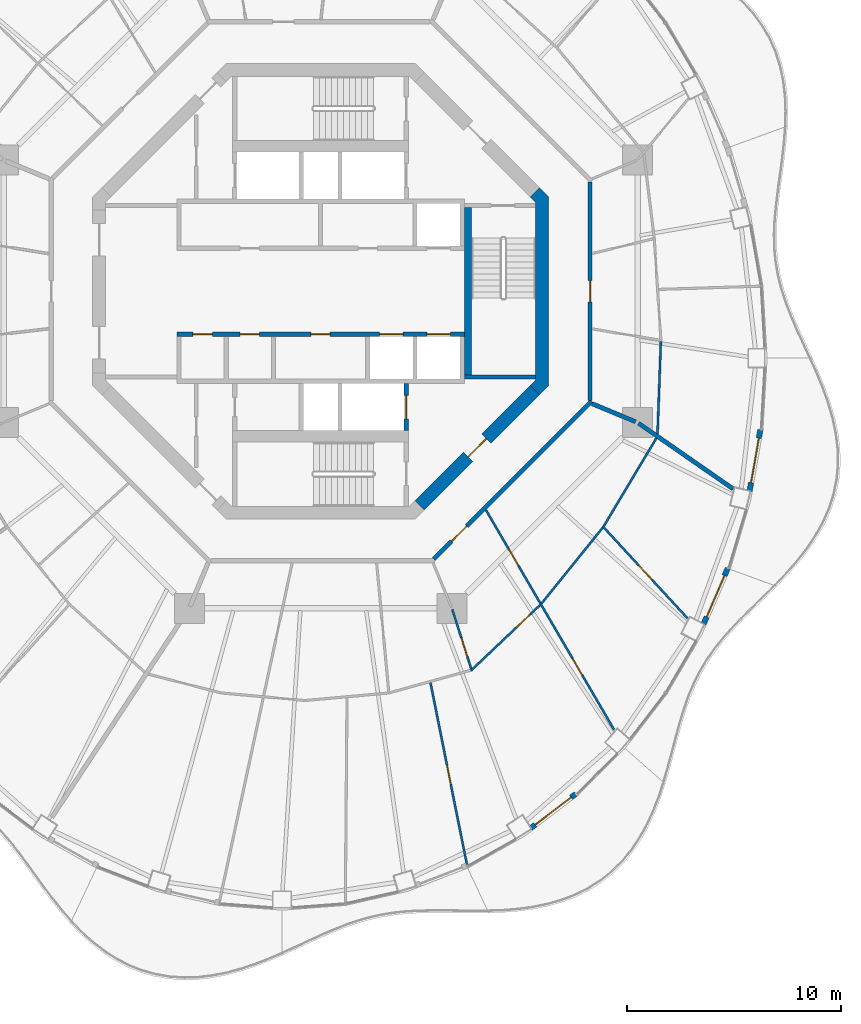
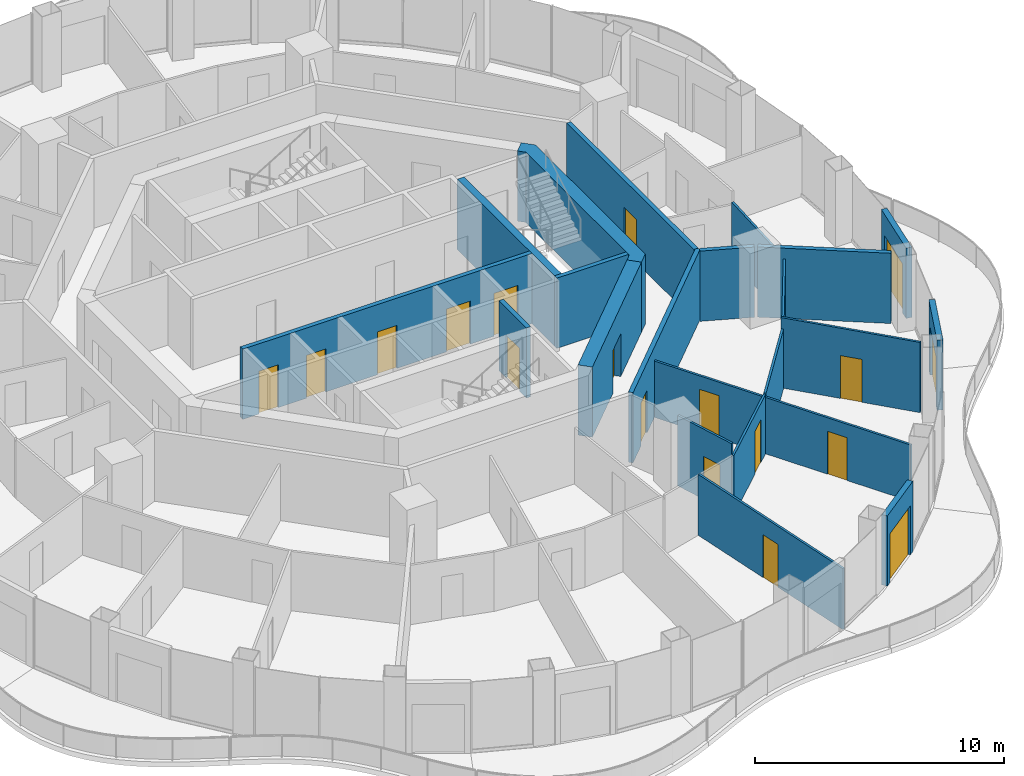
# One storey, part 11 of 17: 21 walls, 18 doors, 18 openings.
"""IFC4 building model written with IfcOpenShell, lengths in metres."""

from ifc_helpers import new_model, si_unit, direction, frame, frame_2d, origin, place, context, subcontext, project, spatial, polyline, rectangle, outline, extrude, material, layer, layer_set, type_object, element, fill, save


model = new_model("IFC4")

# Units and contexts
model_context = context("Model", 3, precision=1e-05, world=origin(), true_north=direction((0.0, 1.0)))
body_context = subcontext(model_context, "Body", "Model", "MODEL_VIEW")
ifc_project = project(units=[si_unit("LENGTHUNIT", "METRE"), si_unit("AREAUNIT", "SQUARE_METRE"), si_unit("VOLUMEUNIT", "CUBIC_METRE"), si_unit("PLANEANGLEUNIT", "RADIAN"), si_unit("MASSUNIT", "GRAM", prefix="KILO")], contexts=[model_context])

# Site, building, storey
site_placement = place(None, origin())
site = spatial("IfcSite", under=ifc_project, at=site_placement, CompositionType="ELEMENT")
building_placement = place(site_placement, origin())
building = spatial("IfcBuilding", under=site, at=building_placement, Name="Nagisa Residences", CompositionType="ELEMENT")
storey_placement = place(building_placement, frame((0.0, 0.0, 291.800048828125)))
storey = spatial("IfcBuildingStorey", under=building, at=storey_placement, Name="L74", CompositionType="ELEMENT", Elevation=291.800048828125)

# Walls
ifc_material_1 = material(Name="Gypsum board on steel studs", Category="steel")
ifc_layer_1 = layer(ifc_material_1, 0.199951171875)
ifc_layer_set_1 = layer_set([ifc_layer_1], Name="Apartment compartment wall EI60 200")
wall_type_1 = type_object("IfcWallType", Name="Apartment compartment wall EI60 200", PredefinedType="PARTITIONING", material=ifc_layer_set_1)
wall_1_placement = place(storey_placement, frame((12.6572265625, -5.24267578125, 0.0), z_axis=(0.0, 0.0, 1.0), x_axis=(0.92383017907, -0.382802560388, 0.0)))
element("IfcWall", 1, at=wall_1_placement, inside=storey, type_object=wall_type_1, Name="wall:L74:u08", PredefinedType="PARTITIONING", context=body_context, shape_type="SweptSolid", body=[
    extrude(rectangle(XDim=2.2001953125, YDim=0.199951171875, at=frame_2d((1.10009765625, 0.0))), origin(), (0.0, 0.0, 1.0), 3.43994140625),
])
wall_2_placement = place(storey_placement, frame((14.8232421875, -6.1513671875, 0.0), z_axis=(0.0, 0.0, 1.0), x_axis=(0.821435065081, -0.570302054928, 0.0)))
element("IfcWall", 2, at=wall_2_placement, inside=storey, type_object=wall_type_1, Name="wall:L74:u09", PredefinedType="PARTITIONING", context=body_context, shape_type="SweptSolid", body=[
    extrude(rectangle(XDim=5.3681640625, YDim=0.199951171875, at=frame_2d((2.68408203125, 0.0))), origin(), (0.0, 0.0, 1.0), 3.43994140625),
])

# Wall, opening, door
ifc_material_2 = material(Name="Gypsum board on steel studs", Category="steel")
ifc_layer_2 = layer(ifc_material_2, 0.199951171875)
ifc_layer_set_2 = layer_set([ifc_layer_2], Name="Apartment entry wall EI60 200")
wall_type_2 = type_object("IfcWallType", Name="Apartment entry wall EI60 200", PredefinedType="PARTITIONING", material=ifc_layer_set_2)
wall_3_placement = place(storey_placement, frame((12.564697265625, -5.1044921875, 0.0), z_axis=(0.0, 0.0, 1.0), x_axis=(0.0, 1.0, 0.0)))
wall_3 = element("IfcWall", 3, at=wall_3_placement, inside=storey, type_object=wall_type_2, Name="wall:L74:u10", PredefinedType="PARTITIONING", context=body_context, shape_type="SweptSolid", body=[
    extrude(rectangle(XDim=10.208984375, YDim=0.199951171875, at=frame_2d((5.1044921875, 0.0))), origin(), (0.0, 0.0, 1.0), 3.43994140625),
])
opening_1_placement = place(wall_3_placement, frame((4.6044921875, 0.0, 0.0)))
opening_1 = element("IfcOpeningElement", 4, at=opening_1_placement, cuts=wall_3, Name="Opening L74-U12", PredefinedType="OPENING", context=body_context, shape_type="SweptSolid", body=[
    extrude(rectangle(XDim=1.0, YDim=2.10009765625, at=frame_2d((0.5, 1.050048828125))), frame((0.0, 0.10986328125, 0.0), z_axis=(0.0, -1.0, 0.0), x_axis=(1.0, 0.0, 0.0)), (0.0, 0.0, 1.0), 0.219970703125),
])
ifc_material_3 = material(Name="Timber fire door set", Category="wood")
door_type_1 = type_object("IfcDoorType", Name="Apartment entry door FD30S 1000x2100", OperationType="NOTDEFINED", PredefinedType="DOOR", material=ifc_material_3)
door_1_placement = place(opening_1_placement, frame((1.0, 0.0, 0.0), x_axis=(-1.0, 0.0, 0.0)))
door_1 = element("IfcDoor", 5, at=door_1_placement, inside=storey, type_object=door_type_1, Name="Entry door, Apartment 74B", OperationType="SINGLE_SWING_LEFT", OverallHeight=2.10009765625, OverallWidth=1.0, PredefinedType="DOOR", context=body_context, shape_type="SweptSolid", body=[
    extrude(rectangle(XDim=1.0, YDim=2.10009765625, at=frame_2d((0.5, 1.050048828125))), frame((0.0, 0.02490234375, 0.0), z_axis=(0.0, -1.0, 0.0), x_axis=(1.0, 0.0, 0.0)), (0.0, 0.0, 1.0), 0.050048828125),
])
fill(opening_1, door_1)

wall_4_placement = place(storey_placement, frame((5.275146484375, -12.494140625, 0.0), z_axis=(0.0, 0.0, 1.0), x_axis=(0.707106781187, 0.707106781187, 0.0)))
wall_4 = element("IfcWall", 6, at=wall_4_placement, inside=storey, type_object=wall_type_2, Name="wall:L74:u17", PredefinedType="PARTITIONING", context=body_context, shape_type="SweptSolid", body=[
    extrude(rectangle(XDim=10.4091796875, YDim=0.199951171875, at=frame_2d((5.20458984375, 0.0))), origin(), (0.0, 0.0, 1.0), 3.43994140625),
])
opening_2_placement = place(wall_4_placement, frame((1.184814453125, 0.0, 0.0)))
opening_2 = element("IfcOpeningElement", 7, at=opening_2_placement, cuts=wall_4, Name="Opening L74-U01", PredefinedType="OPENING", context=body_context, shape_type="SweptSolid", body=[
    extrude(rectangle(XDim=1.0, YDim=2.10009765625, at=frame_2d((0.5, 1.050048828125))), frame((0.0, 0.10986328125, 0.0), z_axis=(0.0, -1.0, 0.0), x_axis=(1.0, 0.0, 0.0)), (0.0, 0.0, 1.0), 0.219970703125),
])
door_2_placement = place(opening_2_placement, frame((1.0, 0.0, 0.0), x_axis=(-1.0, 0.0, 0.0)))
door_2 = element("IfcDoor", 8, at=door_2_placement, inside=storey, type_object=door_type_1, Name="Entry door, Apartment 74A", OperationType="SINGLE_SWING_RIGHT", OverallHeight=2.10009765625, OverallWidth=1.0, PredefinedType="DOOR", context=body_context, shape_type="SweptSolid", body=[
    extrude(rectangle(XDim=1.0, YDim=2.10009765625, at=frame_2d((0.5, 1.050048828125))), frame((0.0, 0.02490234375, 0.0), z_axis=(0.0, -1.0, 0.0), x_axis=(1.0, 0.0, 0.0)), (0.0, 0.0, 1.0), 0.050048828125),
])
fill(opening_2, door_2)

# Wall
ifc_material_4 = material(Name="Gypsum board on steel studs", Category="steel")
ifc_layer_3 = layer(ifc_material_4, 0.10009765625)
ifc_layer_set_3 = layer_set([ifc_layer_3], Name="Apartment partition 100")
wall_type_3 = type_object("IfcWallType", Name="Apartment partition 100", PredefinedType="PARTITIONING", material=ifc_layer_set_3)
wall_5_placement = place(storey_placement, frame((15.864990234375, -2.337890625, 0.0), z_axis=(0.0, 0.0, 1.0), x_axis=(-0.035864509465, -0.999356661538, 0.0)))
element("IfcWall", 9, at=wall_5_placement, inside=storey, type_object=wall_type_3, Name="wall:L74:u20", PredefinedType="PARTITIONING", context=body_context, shape_type="SweptSolid", body=[
    extrude(rectangle(XDim=4.329345703125, YDim=0.10009765625, at=frame_2d((2.16455078125, 0.0))), origin(), (0.0, 0.0, 1.0), 2.905029296875),
])

# Wall, opening, door
wall_6_placement = place(storey_placement, frame((5.12158203125, -18.2451171875, 0.0), z_axis=(0.0, 0.0, 1.0), x_axis=(0.196554332808, -0.980492934322, 0.0)))
wall_6 = element("IfcWall", 10, at=wall_6_placement, inside=storey, type_object=wall_type_3, Name="wall:L74:u59", PredefinedType="PARTITIONING", context=body_context, shape_type="SweptSolid", body=[
    extrude(rectangle(XDim=8.785400390625, YDim=0.10009765625, at=frame_2d((4.392578125, 0.0))), origin(), (0.0, 0.0, 1.0), 2.98291015625),
])
opening_3_placement = place(wall_6_placement, frame((3.942626953125, 0.0, 0.0)))
opening_3 = element("IfcOpeningElement", 11, at=opening_3_placement, cuts=wall_6, Name="Opening L74-U09", PredefinedType="OPENING", context=body_context, shape_type="SweptSolid", body=[
    extrude(rectangle(XDim=0.89990234375, YDim=2.10009765625, at=frame_2d((0.449951171875, 1.050048828125))), frame((0.0, 0.06005859375, 0.0), z_axis=(0.0, -1.0, 0.0), x_axis=(1.0, 0.0, 0.0)), (0.0, 0.0, 1.0), 0.1201171875),
])
ifc_material_5 = material(Name="Timber door set", Category="wood")
door_type_2 = type_object("IfcDoorType", Name="Apartment door 900x2100", OperationType="NOTDEFINED", PredefinedType="DOOR", material=ifc_material_5)
door_3_placement = place(opening_3_placement, frame((0.89990234375, 0.0, 0.0), x_axis=(-1.0, 0.0, 0.0)))
door_3 = element("IfcDoor", 12, at=door_3_placement, inside=storey, type_object=door_type_2, Name="Door to dining room, Apartment 74A", OperationType="SINGLE_SWING_RIGHT", OverallHeight=2.10009765625, OverallWidth=0.89990234375, PredefinedType="DOOR", context=body_context, shape_type="SweptSolid", body=[
    extrude(rectangle(XDim=0.89990234375, YDim=2.10009765625, at=frame_2d((0.449951171875, 1.050048828125))), frame((0.0, 0.02490234375, 0.0), z_axis=(0.0, -1.0, 0.0), x_axis=(1.0, 0.0, 0.0)), (0.0, 0.0, 1.0), 0.050048828125),
])
fill(opening_3, door_3)

wall_7_placement = place(storey_placement, frame((6.13818359375, -14.82958984375, 0.0), z_axis=(0.0, 0.0, 1.0), x_axis=(0.303665801704, -0.952778610631, 0.0)))
wall_7 = element("IfcWall", 13, at=wall_7_placement, inside=storey, type_object=wall_type_3, Name="wall:L74:u61", PredefinedType="PARTITIONING", context=body_context, shape_type="SweptSolid", body=[
    extrude(rectangle(XDim=2.921630859375, YDim=0.10009765625, at=frame_2d((1.4609375, 0.0))), origin(), (0.0, 0.0, 1.0), 3.43994140625),
])
opening_4_placement = place(wall_7_placement, frame((1.4072265625, 0.0, 0.0)))
opening_4 = element("IfcOpeningElement", 14, at=opening_4_placement, cuts=wall_7, Name="Opening L74-U02", PredefinedType="OPENING", context=body_context, shape_type="SweptSolid", body=[
    extrude(rectangle(XDim=0.89990234375, YDim=2.10009765625, at=frame_2d((0.449951171875, 1.050048828125))), frame((0.0, 0.06005859375, 0.0), z_axis=(0.0, -1.0, 0.0), x_axis=(1.0, 0.0, 0.0)), (0.0, 0.0, 1.0), 0.1201171875),
])
door_4_placement = place(opening_4_placement, frame((0.89990234375, 0.0, 0.0), x_axis=(-1.0, 0.0, 0.0)))
door_4 = element("IfcDoor", 15, at=door_4_placement, inside=storey, type_object=door_type_2, Name="Door to family bathroom, Apartment 74A", OperationType="SINGLE_SWING_LEFT", OverallHeight=2.10009765625, OverallWidth=0.89990234375, PredefinedType="DOOR", context=body_context, shape_type="SweptSolid", body=[
    extrude(rectangle(XDim=0.89990234375, YDim=2.10009765625, at=frame_2d((0.449951171875, 1.050048828125))), frame((0.0, 0.02490234375, 0.0), z_axis=(0.0, -1.0, 0.0), x_axis=(1.0, 0.0, 0.0)), (0.0, 0.0, 1.0), 0.050048828125),
])
fill(opening_4, door_4)

wall_8_placement = place(storey_placement, frame((7.004150390625, -17.6953125, 0.0), z_axis=(0.0, 0.0, 1.0), x_axis=(0.725438442765, 0.68828705186, 0.0)))
wall_8 = element("IfcWall", 16, at=wall_8_placement, inside=storey, type_object=wall_type_3, Name="wall:L74:u62", PredefinedType="PARTITIONING", context=body_context, shape_type="SweptSolid", body=[
    extrude(rectangle(XDim=4.45556640625, YDim=0.10009765625, at=frame_2d((2.227783203125, 0.0))), origin(), (0.0, 0.0, 1.0), 2.905029296875),
])
opening_5_placement = place(wall_8_placement, frame((2.9248046875, 0.0, 0.0)))
opening_5 = element("IfcOpeningElement", 17, at=opening_5_placement, cuts=wall_8, Name="Opening L74-U04", PredefinedType="OPENING", context=body_context, shape_type="SweptSolid", body=[
    extrude(rectangle(XDim=0.89990234375, YDim=2.10009765625, at=frame_2d((0.449951171875, 1.050048828125))), frame((0.0, 0.06005859375, 0.0), z_axis=(0.0, -1.0, 0.0), x_axis=(1.0, 0.0, 0.0)), (0.0, 0.0, 1.0), 0.1201171875),
])
door_5_placement = place(opening_5_placement, frame((0.89990234375, 0.0, 0.0), x_axis=(-1.0, 0.0, 0.0)))
door_5 = element("IfcDoor", 18, at=door_5_placement, inside=storey, type_object=door_type_2, Name="Door to living room, Apartment 74A", OperationType="SINGLE_SWING_LEFT", OverallHeight=2.10009765625, OverallWidth=0.89990234375, PredefinedType="DOOR", context=body_context, shape_type="SweptSolid", body=[
    extrude(rectangle(XDim=0.89990234375, YDim=2.10009765625, at=frame_2d((0.449951171875, 1.050048828125))), frame((0.0, 0.02490234375, 0.0), z_axis=(0.0, -1.0, 0.0), x_axis=(1.0, 0.0, 0.0)), (0.0, 0.0, 1.0), 0.050048828125),
])
fill(opening_5, door_5)

# Wall, openings, doors
wall_9_placement = place(storey_placement, frame((7.708251953125, -10.19775390625, 0.0), z_axis=(0.0, 0.0, 1.0), x_axis=(0.503839015963, -0.863797572347, 0.0)))
wall_9 = element("IfcWall", 19, at=wall_9_placement, inside=storey, type_object=wall_type_3, Name="wall:L74:u63", PredefinedType="PARTITIONING", context=body_context, shape_type="SweptSolid", body=[
    extrude(rectangle(XDim=11.855712890625, YDim=0.10009765625, at=frame_2d((5.927734375, 0.0))), origin(), (0.0, 0.0, 1.0), 2.761962890625),
])
opening_6_placement = place(wall_9_placement, frame((2.094970703125, 0.0, 0.0)))
opening_6 = element("IfcOpeningElement", 20, at=opening_6_placement, cuts=wall_9, Name="Opening L74-U03", PredefinedType="OPENING", context=body_context, shape_type="SweptSolid", body=[
    extrude(rectangle(XDim=0.89990234375, YDim=2.10009765625, at=frame_2d((0.449951171875, 1.050048828125))), frame((0.0, 0.06005859375, 0.0), z_axis=(0.0, -1.0, 0.0), x_axis=(1.0, 0.0, 0.0)), (0.0, 0.0, 1.0), 0.1201171875),
])
opening_7_placement = place(wall_9_placement, frame((8.022705078125, 0.0, 0.0)))
opening_7 = element("IfcOpeningElement", 21, at=opening_7_placement, cuts=wall_9, Name="Opening L74-U05", PredefinedType="OPENING", context=body_context, shape_type="SweptSolid", body=[
    extrude(rectangle(XDim=0.89990234375, YDim=2.10009765625, at=frame_2d((0.449951171875, 1.050048828125))), frame((0.0, 0.06005859375, 0.0), z_axis=(0.0, -1.0, 0.0), x_axis=(1.0, 0.0, 0.0)), (0.0, 0.0, 1.0), 0.1201171875),
])
door_6_placement = place(opening_6_placement, origin())
door_6 = element("IfcDoor", 22, at=door_6_placement, inside=storey, type_object=door_type_2, Name="Door to laundry, Apartment 74A", OperationType="SINGLE_SWING_LEFT", OverallHeight=2.10009765625, OverallWidth=0.89990234375, PredefinedType="DOOR", context=body_context, shape_type="SweptSolid", body=[
    extrude(rectangle(XDim=0.89990234375, YDim=2.10009765625, at=frame_2d((0.449951171875, 1.050048828125))), frame((0.0, 0.02490234375, 0.0), z_axis=(0.0, -1.0, 0.0), x_axis=(1.0, 0.0, 0.0)), (0.0, 0.0, 1.0), 0.050048828125),
])
fill(opening_6, door_6)
door_7_placement = place(opening_7_placement, origin())
door_7 = element("IfcDoor", 23, at=door_7_placement, inside=storey, type_object=door_type_2, Name="Door to kitchen, Apartment 74A", OperationType="SINGLE_SWING_LEFT", OverallHeight=2.10009765625, OverallWidth=0.89990234375, PredefinedType="DOOR", context=body_context, shape_type="SweptSolid", body=[
    extrude(rectangle(XDim=0.89990234375, YDim=2.10009765625, at=frame_2d((0.449951171875, 1.050048828125))), frame((0.0, 0.02490234375, 0.0), z_axis=(0.0, -1.0, 0.0), x_axis=(1.0, 0.0, 0.0)), (0.0, 0.0, 1.0), 0.050048828125),
])
fill(opening_7, door_7)

# Wall
wall_10_placement = place(storey_placement, frame((10.303955078125, -14.555419921875, 0.0), z_axis=(0.0, 0.0, 1.0), x_axis=(0.628170338674, 0.778075848237, 0.0)))
element("IfcWall", 24, at=wall_10_placement, inside=storey, type_object=wall_type_3, Name="wall:L74:u64", PredefinedType="PARTITIONING", context=body_context, shape_type="SweptSolid", body=[
    extrude(rectangle(XDim=4.532470703125, YDim=0.10009765625, at=frame_2d((2.26611328125, 0.0))), origin(), (0.0, 0.0, 1.0), 2.905029296875),
])

# Wall, opening, door
wall_11_placement = place(storey_placement, frame((13.148681640625, -10.953125, 0.0), z_axis=(0.0, 0.0, 1.0), x_axis=(0.677762562884, -0.735280836384, 0.0)))
wall_11 = element("IfcWall", 25, at=wall_11_placement, inside=storey, type_object=wall_type_3, Name="wall:L74:u65", PredefinedType="PARTITIONING", context=body_context, shape_type="SweptSolid", body=[
    extrude(rectangle(XDim=5.840576171875, YDim=0.10009765625, at=frame_2d((2.92041015625, 0.0))), origin(), (0.0, 0.0, 1.0), 3.43994140625),
])
opening_8_placement = place(wall_11_placement, frame((2.4951171875, 0.0, 0.0)))
opening_8 = element("IfcOpeningElement", 26, at=opening_8_placement, cuts=wall_11, Name="Opening L74-U06", PredefinedType="OPENING", context=body_context, shape_type="SweptSolid", body=[
    extrude(rectangle(XDim=0.89990234375, YDim=2.10009765625, at=frame_2d((0.449951171875, 1.050048828125))), frame((0.0, 0.06005859375, 0.0), z_axis=(0.0, -1.0, 0.0), x_axis=(1.0, 0.0, 0.0)), (0.0, 0.0, 1.0), 0.1201171875),
])
door_8_placement = place(opening_8_placement, origin())
door_8 = element("IfcDoor", 27, at=door_8_placement, inside=storey, type_object=door_type_2, Name="Door to bedroom, Apartment 74A", OperationType="SINGLE_SWING_RIGHT", OverallHeight=2.10009765625, OverallWidth=0.89990234375, PredefinedType="DOOR", context=body_context, shape_type="SweptSolid", body=[
    extrude(rectangle(XDim=0.89990234375, YDim=2.10009765625, at=frame_2d((0.449951171875, 1.050048828125))), frame((0.0, 0.02490234375, 0.0), z_axis=(0.0, -1.0, 0.0), x_axis=(1.0, 0.0, 0.0)), (0.0, 0.0, 1.0), 0.050048828125),
])
fill(opening_8, door_8)

# Wall
wall_12_placement = place(storey_placement, frame((13.208251953125, -10.947021484375, 0.0), z_axis=(0.0, 0.0, 1.0), x_axis=(0.512726452516, 0.858552028063, 0.0)))
element("IfcWall", 28, at=wall_12_placement, inside=storey, type_object=wall_type_3, Name="wall:L74:u66", PredefinedType="PARTITIONING", context=body_context, shape_type="SweptSolid", body=[
    extrude(rectangle(XDim=4.771728515625, YDim=0.10009765625, at=frame_2d((2.3857421875, 0.0))), origin(), (0.0, 0.0, 1.0), 2.905029296875),
])

# Wall, opening, door
ifc_material_6 = material(Name="Precast concrete C40/50", Category="concrete")
ifc_layer_4 = layer(ifc_material_6, 0.25)
ifc_layer_set_4 = layer_set([ifc_layer_4], Name="BALCONY DOOR WALL 250")
wall_type_4 = type_object("IfcWallType", Name="BALCONY DOOR WALL 250", PredefinedType="SOLIDWALL", material=ifc_layer_set_4)
wall_13_placement = place(storey_placement, frame((11.89453125, -23.439208984375, 0.0), z_axis=(0.0, 0.0, 1.0), x_axis=(-0.796055284084, -0.605223912847, 0.0)))
wall_13 = element("IfcWall", 29, at=wall_13_placement, inside=storey, type_object=wall_type_4, Name="wall:L74:bay40", PredefinedType="SOLIDWALL", context=body_context, shape_type="SweptSolid", body=[
    extrude(rectangle(XDim=2.640625, YDim=0.25, at=frame_2d((1.3203125, 0.0))), origin(), (0.0, 0.0, 1.0), 3.43994140625),
])
opening_9_placement = place(wall_13_placement, frame((0.270263671875, 0.0, 0.0)))
opening_9 = element("IfcOpeningElement", 30, at=opening_9_placement, cuts=wall_13, Name="Opening BD-L74-14", PredefinedType="OPENING", context=body_context, shape_type="SweptSolid", body=[
    extrude(rectangle(XDim=2.10009765625, YDim=2.39990234375, at=frame_2d((1.050048828125, 1.199951171875))), frame((0.0, 0.135009765625, 0.0), z_axis=(0.0, -1.0, 0.0), x_axis=(1.0, 0.0, 0.0)), (0.0, 0.0, 1.0), 0.27001953125),
])
ifc_material_7 = material(Name="Aluminium and clear glass", Category="aluminium")
door_type_3 = type_object("IfcDoorType", Name="BALCONY SLIDING DOOR 2100x2400", OperationType="SLIDING_TO_LEFT", PredefinedType="DOOR", material=ifc_material_7)
door_9_placement = place(opening_9_placement, origin())
door_9 = element("IfcDoor", 31, at=door_9_placement, inside=storey, type_object=door_type_3, Name="door:L74:bay40", OperationType="SLIDING_TO_LEFT", OverallHeight=2.39990234375, OverallWidth=2.10009765625, PredefinedType="DOOR", context=body_context, shape_type="SweptSolid", body=[
    extrude(rectangle(XDim=2.10009765625, YDim=2.39990234375, at=frame_2d((1.050048828125, 1.199951171875))), frame((0.0, 0.02490234375, 0.0), z_axis=(0.0, -1.0, 0.0), x_axis=(1.0, 0.0, 0.0)), (0.0, 0.0, 1.0), 0.050048828125),
])
fill(opening_9, door_9)

wall_14_placement = place(storey_placement, frame((18.9833984375, -12.918212890625, 0.0), z_axis=(0.0, 0.0, 1.0), x_axis=(-0.397597791596, -0.9175598052, 0.0)))
wall_14 = element("IfcWall", 32, at=wall_14_placement, inside=storey, type_object=wall_type_4, Name="wall:L74:bay44", PredefinedType="SOLIDWALL", context=body_context, shape_type="SweptSolid", body=[
    extrude(rectangle(XDim=2.841064453125, YDim=0.25, at=frame_2d((1.42041015625, 0.0))), origin(), (0.0, 0.0, 1.0), 3.43994140625),
])
opening_10_placement = place(wall_14_placement, frame((0.37060546875, 0.0, 0.0)))
opening_10 = element("IfcOpeningElement", 33, at=opening_10_placement, cuts=wall_14, Name="Opening BD-L74-15", PredefinedType="OPENING", context=body_context, shape_type="SweptSolid", body=[
    extrude(rectangle(XDim=2.10009765625, YDim=2.39990234375, at=frame_2d((1.050048828125, 1.199951171875))), frame((0.0, 0.135009765625, 0.0), z_axis=(0.0, -1.0, 0.0), x_axis=(1.0, 0.0, 0.0)), (0.0, 0.0, 1.0), 0.27001953125),
])
door_10_placement = place(opening_10_placement, origin())
door_10 = element("IfcDoor", 34, at=door_10_placement, inside=storey, type_object=door_type_3, Name="door:L74:bay44", OperationType="SLIDING_TO_LEFT", OverallHeight=2.39990234375, OverallWidth=2.10009765625, PredefinedType="DOOR", context=body_context, shape_type="SweptSolid", body=[
    extrude(rectangle(XDim=2.10009765625, YDim=2.39990234375, at=frame_2d((1.050048828125, 1.199951171875))), frame((0.0, 0.02490234375, 0.0), z_axis=(0.0, -1.0, 0.0), x_axis=(1.0, 0.0, 0.0)), (0.0, 0.0, 1.0), 0.050048828125),
])
fill(opening_10, door_10)

wall_15_placement = place(storey_placement, frame((20.50341796875, -6.455810546875, 0.0), z_axis=(0.0, 0.0, 1.0), x_axis=(-0.172182411767, -0.985065082661, 0.0)))
wall_15 = element("IfcWall", 35, at=wall_15_placement, inside=storey, type_object=wall_type_4, Name="wall:L74:bay46", PredefinedType="SOLIDWALL", context=body_context, shape_type="SweptSolid", body=[
    extrude(rectangle(XDim=2.902587890625, YDim=0.25, at=frame_2d((1.451171875, 0.0))), origin(), (0.0, 0.0, 1.0), 3.43994140625),
])
opening_11_placement = place(wall_15_placement, frame((0.401123046875, 0.0, 0.0)))
opening_11 = element("IfcOpeningElement", 36, at=opening_11_placement, cuts=wall_15, Name="Opening BD-L74-16", PredefinedType="OPENING", context=body_context, shape_type="SweptSolid", body=[
    extrude(rectangle(XDim=2.10009765625, YDim=2.39990234375, at=frame_2d((1.050048828125, 1.199951171875))), frame((0.0, 0.135009765625, 0.0), z_axis=(0.0, -1.0, 0.0), x_axis=(1.0, 0.0, 0.0)), (0.0, 0.0, 1.0), 0.27001953125),
])
door_11_placement = place(opening_11_placement, origin())
door_11 = element("IfcDoor", 37, at=door_11_placement, inside=storey, type_object=door_type_3, Name="door:L74:bay46", OperationType="SLIDING_TO_LEFT", OverallHeight=2.39990234375, OverallWidth=2.10009765625, PredefinedType="DOOR", context=body_context, shape_type="SweptSolid", body=[
    extrude(rectangle(XDim=2.10009765625, YDim=2.39990234375, at=frame_2d((1.050048828125, 1.199951171875))), frame((0.0, 0.02490234375, 0.0), z_axis=(0.0, -1.0, 0.0), x_axis=(1.0, 0.0, 0.0)), (0.0, 0.0, 1.0), 0.050048828125),
])
fill(opening_11, door_11)

ifc_material_8 = material(Name="Concrete C60", Category="concrete")
ifc_layer_5 = layer(ifc_material_8, 0.60009765625)
ifc_layer_set_5 = layer_set([ifc_layer_5], Name="Core shear wall 600")
wall_type_5 = type_object("IfcWallType", Name="Core shear wall 600", PredefinedType="SHEAR", material=ifc_layer_set_5)
wall_16_placement = place(storey_placement, frame((4.613037109375, -9.98828125, 0.0), z_axis=(0.0, 0.0, 1.0), x_axis=(0.707106781187, 0.707106781187, 0.0)))
wall_16 = element("IfcWall", 38, at=wall_16_placement, inside=storey, type_object=wall_type_5, Name="wall:L74:core:flat7", PredefinedType="SHEAR", context=body_context, shape_type="SweptSolid", body=[
    extrude(rectangle(XDim=7.601806640625, YDim=0.60009765625, at=frame_2d((3.80078125, 0.0))), origin(), (0.0, 0.0, 1.0), 3.43994140625),
])
opening_12_placement = place(wall_16_placement, frame((3.200927734375, 0.0, 0.0)))
opening_12 = element("IfcOpeningElement", 39, at=opening_12_placement, cuts=wall_16, Name="Opening L74-C19", PredefinedType="OPENING", context=body_context, shape_type="SweptSolid", body=[
    extrude(rectangle(XDim=1.199951171875, YDim=2.10009765625, at=frame_2d((0.60009765625, 1.050048828125))), frame((0.0, 0.31005859375, 0.0), z_axis=(0.0, -1.0, 0.0), x_axis=(1.0, 0.0, 0.0)), (0.0, 0.0, 1.0), 0.6201171875),
])
ifc_material_9 = material(Name="Steel fire door", Category="steel")
door_type_4 = type_object("IfcDoorType", Name="Fire door EI60 1200x2100 single swing", OperationType="NOTDEFINED", PredefinedType="DOOR", material=ifc_material_9)
door_12_placement = place(opening_12_placement, origin())
door_12 = element("IfcDoor", 40, at=door_12_placement, inside=storey, type_object=door_type_4, Name="Firefighting lobby 2 door L74", OperationType="SINGLE_SWING_RIGHT", OverallHeight=2.10009765625, OverallWidth=1.199951171875, PredefinedType="DOOR", context=body_context, shape_type="SweptSolid", body=[
    extrude(rectangle(XDim=1.199951171875, YDim=2.10009765625, at=frame_2d((0.60009765625, 1.050048828125))), frame((0.0, 0.02490234375, 0.0), z_axis=(0.0, -1.0, 0.0), x_axis=(1.0, 0.0, 0.0)), (0.0, 0.0, 1.0), 0.050048828125),
])
fill(opening_12, door_12)

# Wall
wall_17_placement = place(storey_placement, origin())
element("IfcWall", 41, at=wall_17_placement, inside=storey, type_object=wall_type_5, Name="wall:L74:core:flat0", PredefinedType="SHEAR", context=body_context, shape_type="SweptSolid", body=[
    extrude(outline(polyline([(9.776123046875, -4.40087890625), (10.024658203125, -4.15234375), (10.024658203125, -3.801025390625), (10.024658203125, 4.15234375), (9.776123046875, 4.40087890625), (10.200439453125, 4.8251953125), (10.62451171875, 4.40087890625), (10.62451171875, -4.40087890625), (10.200439453125, -4.8251953125), (9.776123046875, -4.40087890625)])), origin(), (0.0, 0.0, 1.0), 3.43994140625),
])

# Wall, opening, door
ifc_material_10 = material(Name="Concrete C60", Category="concrete")
ifc_layer_6 = layer(ifc_material_10, 0.199951171875)
ifc_layer_set_6 = layer_set([ifc_layer_6], Name="Lift shaft wall 200")
wall_type_6 = type_object("IfcWallType", Name="Lift shaft wall 200", PredefinedType="SOLIDWALL", material=ifc_layer_set_6)
wall_18_placement = place(storey_placement, frame((4.0, -6.5, 0.0), z_axis=(0.0, 0.0, 1.0), x_axis=(0.0, 1.0, 0.0)))
wall_18 = element("IfcWall", 42, at=wall_18_placement, inside=storey, type_object=wall_type_6, Name="wall:L74:Sb3", PredefinedType="SOLIDWALL", context=body_context, shape_type="SweptSolid", body=[
    extrude(rectangle(XDim=2.199951171875, YDim=0.199951171875, at=frame_2d((1.10009765625, 0.0))), origin(), (0.0, 0.0, 1.0), 3.43994140625),
])
opening_13_placement = place(wall_18_placement, frame((0.550048828125, 0.0, 0.0)))
opening_13 = element("IfcOpeningElement", 43, at=opening_13_placement, cuts=wall_18, Name="Opening L74-C05", PredefinedType="OPENING", context=body_context, shape_type="SweptSolid", body=[
    extrude(rectangle(XDim=1.10009765625, YDim=2.10009765625, at=frame_2d((0.550048828125, 1.050048828125))), frame((0.0, 0.10986328125, 0.0), z_axis=(0.0, -1.0, 0.0), x_axis=(1.0, 0.0, 0.0)), (0.0, 0.0, 1.0), 0.219970703125),
])
ifc_material_11 = material(Name="Stainless steel", Category="steel")
door_type_5 = type_object("IfcDoorType", Name="Lift landing door 1100x2100", OperationType="DOUBLE_DOOR_SLIDING", PredefinedType="DOOR", material=ifc_material_11)
door_13_placement = place(opening_13_placement, origin())
door_13 = element("IfcDoor", 44, at=door_13_placement, inside=storey, type_object=door_type_5, Name="Landing door FL2 L74", OperationType="DOUBLE_DOOR_SLIDING", OverallHeight=2.10009765625, OverallWidth=1.10009765625, PredefinedType="DOOR", context=body_context, shape_type="SweptSolid", body=[
    extrude(rectangle(XDim=1.10009765625, YDim=2.10009765625, at=frame_2d((0.550048828125, 1.050048828125))), frame((0.0, 0.02490234375, 0.0), z_axis=(0.0, -1.0, 0.0), x_axis=(1.0, 0.0, 0.0)), (0.0, 0.0, 1.0), 0.050048828125),
])
fill(opening_13, door_13)

# Wall, openings, doors
wall_19_placement = place(storey_placement, frame((-6.699951171875, -2.0, 0.0), z_axis=(0.0, 0.0, 1.0), x_axis=(1.0, 0.0, 0.0)))
wall_19 = element("IfcWall", 45, at=wall_19_placement, inside=storey, type_object=wall_type_6, Name="wall:L74:Sfront", PredefinedType="SOLIDWALL", context=body_context, shape_type="SweptSolid", body=[
    extrude(rectangle(XDim=13.39990234375, YDim=0.199951171875, at=frame_2d((6.699951171875, 0.0))), origin(), (0.0, 0.0, 1.0), 3.43994140625),
])
opening_14_placement = place(wall_19_placement, frame((9.449951171875, 0.0, 0.0)))
opening_14 = element("IfcOpeningElement", 46, at=opening_14_placement, cuts=wall_19, Name="Opening L74-C02", PredefinedType="OPENING", context=body_context, shape_type="SweptSolid", body=[
    extrude(rectangle(XDim=1.10009765625, YDim=2.10009765625, at=frame_2d((0.550048828125, 1.050048828125))), frame((0.0, 0.10986328125, 0.0), z_axis=(0.0, -1.0, 0.0), x_axis=(1.0, 0.0, 0.0)), (0.0, 0.0, 1.0), 0.219970703125),
])
opening_15_placement = place(wall_19_placement, frame((11.64990234375, 0.0, 0.0)))
opening_15 = element("IfcOpeningElement", 47, at=opening_15_placement, cuts=wall_19, Name="Opening L74-C03", PredefinedType="OPENING", context=body_context, shape_type="SweptSolid", body=[
    extrude(rectangle(XDim=1.10009765625, YDim=2.10009765625, at=frame_2d((0.550048828125, 1.050048828125))), frame((0.0, 0.10986328125, 0.0), z_axis=(0.0, -1.0, 0.0), x_axis=(1.0, 0.0, 0.0)), (0.0, 0.0, 1.0), 0.219970703125),
])
opening_16_placement = place(wall_19_placement, frame((0.75, 0.0, 0.0)))
opening_16 = element("IfcOpeningElement", 48, at=opening_16_placement, cuts=wall_19, Name="Opening L74-C15", PredefinedType="OPENING", context=body_context, shape_type="SweptSolid", body=[
    extrude(rectangle(XDim=0.89990234375, YDim=2.10009765625, at=frame_2d((0.449951171875, 1.050048828125))), frame((0.0, 0.10986328125, 0.0), z_axis=(0.0, -1.0, 0.0), x_axis=(1.0, 0.0, 0.0)), (0.0, 0.0, 1.0), 0.219970703125),
])
opening_17_placement = place(wall_19_placement, frame((2.949951171875, 0.0, 0.0)))
opening_17 = element("IfcOpeningElement", 49, at=opening_17_placement, cuts=wall_19, Name="Opening L74-C16", PredefinedType="OPENING", context=body_context, shape_type="SweptSolid", body=[
    extrude(rectangle(XDim=0.89990234375, YDim=2.10009765625, at=frame_2d((0.449951171875, 1.050048828125))), frame((0.0, 0.10986328125, 0.0), z_axis=(0.0, -1.0, 0.0), x_axis=(1.0, 0.0, 0.0)), (0.0, 0.0, 1.0), 0.219970703125),
])
opening_18_placement = place(wall_19_placement, frame((6.25, 0.0, 0.0)))
opening_18 = element("IfcOpeningElement", 50, at=opening_18_placement, cuts=wall_19, Name="Opening L74-C17", PredefinedType="OPENING", context=body_context, shape_type="SweptSolid", body=[
    extrude(rectangle(XDim=0.89990234375, YDim=2.10009765625, at=frame_2d((0.449951171875, 1.050048828125))), frame((0.0, 0.10986328125, 0.0), z_axis=(0.0, -1.0, 0.0), x_axis=(1.0, 0.0, 0.0)), (0.0, 0.0, 1.0), 0.219970703125),
])
ifc_material_12 = material(Name="Steel fire door", Category="steel")
door_type_6 = type_object("IfcDoorType", Name="Fire door EI30 900x2100 single swing", OperationType="NOTDEFINED", PredefinedType="DOOR", material=ifc_material_12)
door_14_placement = place(opening_16_placement, frame((0.89990234375, 0.0, 0.0), x_axis=(-1.0, 0.0, 0.0)))
door_14 = element("IfcDoor", 51, at=door_14_placement, inside=storey, type_object=door_type_6, Name="Stationery store door L74", OperationType="SINGLE_SWING_RIGHT", OverallHeight=2.10009765625, OverallWidth=0.89990234375, PredefinedType="DOOR", context=body_context, shape_type="SweptSolid", body=[
    extrude(rectangle(XDim=0.89990234375, YDim=2.10009765625, at=frame_2d((0.449951171875, 1.050048828125))), frame((0.0, 0.02490234375, 0.0), z_axis=(0.0, -1.0, 0.0), x_axis=(1.0, 0.0, 0.0)), (0.0, 0.0, 1.0), 0.050048828125),
])
fill(opening_16, door_14)
door_15_placement = place(opening_17_placement, frame((0.89990234375, 0.0, 0.0), x_axis=(-1.0, 0.0, 0.0)))
door_15 = element("IfcDoor", 52, at=door_15_placement, inside=storey, type_object=door_type_6, Name="Wine store door L74", OperationType="SINGLE_SWING_RIGHT", OverallHeight=2.10009765625, OverallWidth=0.89990234375, PredefinedType="DOOR", context=body_context, shape_type="SweptSolid", body=[
    extrude(rectangle(XDim=0.89990234375, YDim=2.10009765625, at=frame_2d((0.449951171875, 1.050048828125))), frame((0.0, 0.02490234375, 0.0), z_axis=(0.0, -1.0, 0.0), x_axis=(1.0, 0.0, 0.0)), (0.0, 0.0, 1.0), 0.050048828125),
])
fill(opening_17, door_15)
door_16_placement = place(opening_18_placement, frame((0.89990234375, 0.0, 0.0), x_axis=(-1.0, 0.0, 0.0)))
door_16 = element("IfcDoor", 53, at=door_16_placement, inside=storey, type_object=door_type_6, Name="Package room door L74", OperationType="SINGLE_SWING_RIGHT", OverallHeight=2.10009765625, OverallWidth=0.89990234375, PredefinedType="DOOR", context=body_context, shape_type="SweptSolid", body=[
    extrude(rectangle(XDim=0.89990234375, YDim=2.10009765625, at=frame_2d((0.449951171875, 1.050048828125))), frame((0.0, 0.02490234375, 0.0), z_axis=(0.0, -1.0, 0.0), x_axis=(1.0, 0.0, 0.0)), (0.0, 0.0, 1.0), 0.050048828125),
])
fill(opening_18, door_16)
door_17_placement = place(opening_14_placement, origin())
door_17 = element("IfcDoor", 54, at=door_17_placement, inside=storey, type_object=door_type_5, Name="Landing door C2 L74", OperationType="DOUBLE_DOOR_SLIDING", OverallHeight=2.10009765625, OverallWidth=1.10009765625, PredefinedType="DOOR", context=body_context, shape_type="SweptSolid", body=[
    extrude(rectangle(XDim=1.10009765625, YDim=2.10009765625, at=frame_2d((0.550048828125, 1.050048828125))), frame((0.0, 0.02490234375, 0.0), z_axis=(0.0, -1.0, 0.0), x_axis=(1.0, 0.0, 0.0)), (0.0, 0.0, 1.0), 0.050048828125),
])
fill(opening_14, door_17)
door_18_placement = place(opening_15_placement, origin())
door_18 = element("IfcDoor", 55, at=door_18_placement, inside=storey, type_object=door_type_5, Name="Landing door C3 L74", OperationType="DOUBLE_DOOR_SLIDING", OverallHeight=2.10009765625, OverallWidth=1.10009765625, PredefinedType="DOOR", context=body_context, shape_type="SweptSolid", body=[
    extrude(rectangle(XDim=1.10009765625, YDim=2.10009765625, at=frame_2d((0.550048828125, 1.050048828125))), frame((0.0, 0.02490234375, 0.0), z_axis=(0.0, -1.0, 0.0), x_axis=(1.0, 0.0, 0.0)), (0.0, 0.0, 1.0), 0.050048828125),
])
fill(opening_15, door_18)

# Walls
ifc_material_13 = material(Name="Concrete C60", Category="concrete")
ifc_layer_7 = layer(ifc_material_13, 0.199951171875)
ifc_layer_set_7 = layer_set([ifc_layer_7], Name="Stair enclosure wall 200")
wall_type_7 = type_object("IfcWallType", Name="Stair enclosure wall 200", PredefinedType="SOLIDWALL", material=ifc_layer_set_7)
wall_20_placement = place(storey_placement, origin())
element("IfcWall", 56, at=wall_20_placement, inside=storey, type_object=wall_type_7, Name="wall:L74:SE_w", PredefinedType="SOLIDWALL", context=body_context, shape_type="SweptSolid", body=[
    extrude(outline(polyline([(7.024658203125, -3.89990234375), (6.699951171875, -3.89990234375), (6.699951171875, 3.89990234375), (7.024658203125, 3.89990234375), (7.024658203125, -3.89990234375)])), origin(), (0.0, 0.0, 1.0), 3.43994140625),
])
wall_21_placement = place(storey_placement, origin())
element("IfcWall", 57, at=wall_21_placement, inside=storey, type_object=wall_type_7, Name="wall:L74:SE_s", PredefinedType="SOLIDWALL", context=body_context, shape_type="SweptSolid", body=[
    extrude(outline(polyline([(10.024658203125, -4.10009765625), (6.699951171875, -4.10009765625), (6.699951171875, -3.89990234375), (10.024658203125, -3.89990234375), (10.024658203125, -4.10009765625)])), origin(), (0.0, 0.0, 1.0), 3.43994140625),
])

save(model, "model.ifc")
